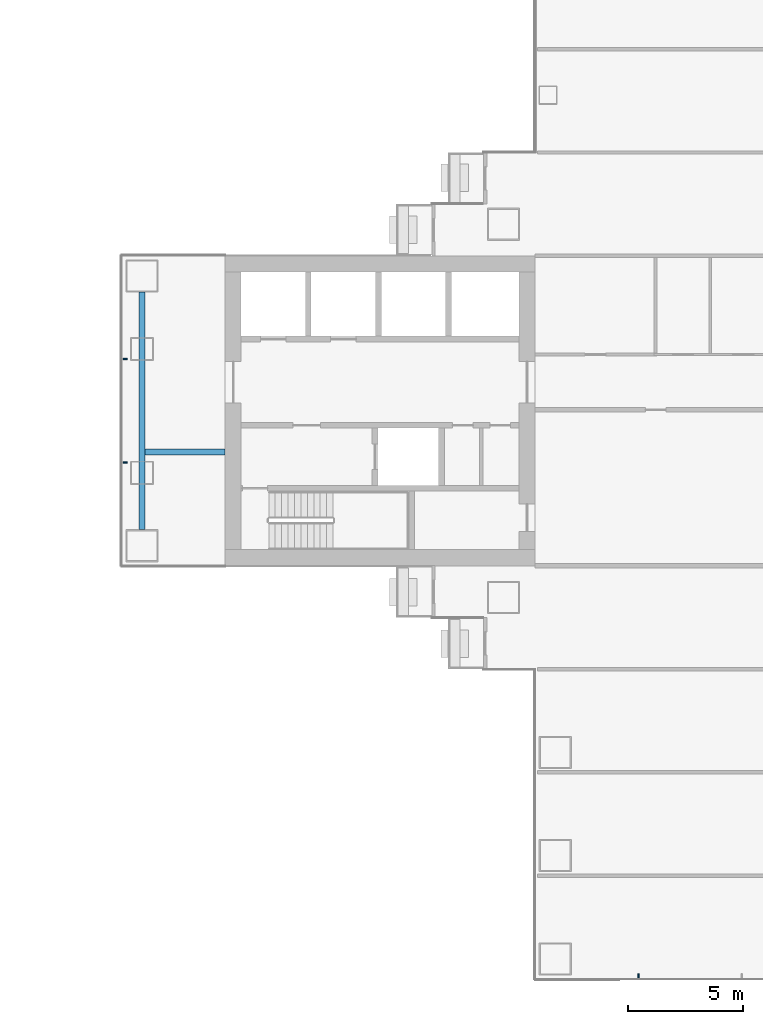
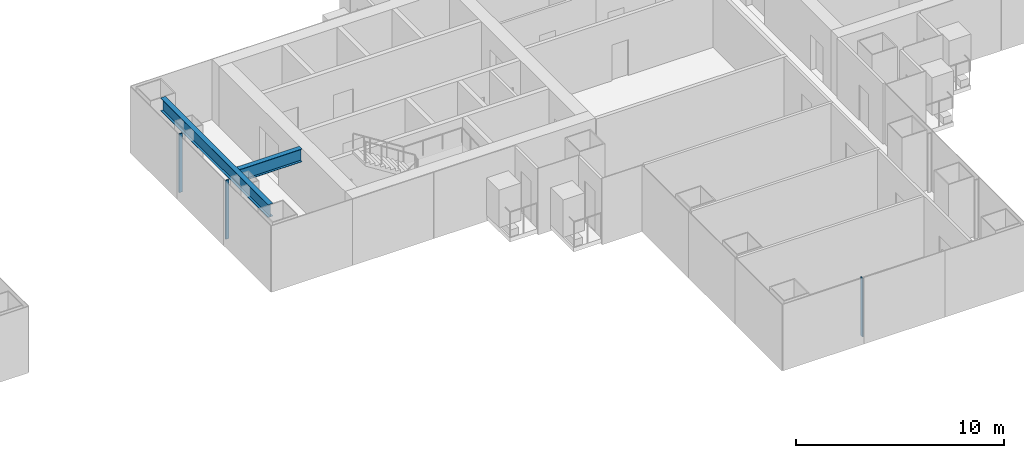
# One storey, part 7 of 21: 3 members, 2 beams, 2 elements without a shape of their own.
"""IFC4 building model written with IfcOpenShell, lengths in metres."""

from ifc_helpers import new_model, si_unit, direction, frame, origin, origin_2d, place, context, subcontext, project, spatial, rectangle, i_section, extrude, material, layer, layer_set, material_profile, profile_set, type_object, element, aggregate, save


model = new_model("IFC4")

# Units and contexts
model_context = context("Model", 3, precision=1e-05, world=origin(), true_north=direction((0.0, 1.0)))
body_context = subcontext(model_context, "Body", "Model", "MODEL_VIEW")
ifc_project = project(units=[si_unit("LENGTHUNIT", "METRE"), si_unit("AREAUNIT", "SQUARE_METRE"), si_unit("VOLUMEUNIT", "CUBIC_METRE"), si_unit("PLANEANGLEUNIT", "RADIAN"), si_unit("MASSUNIT", "GRAM", prefix="KILO")], contexts=[model_context])

# Site, building, storey
site_placement = place(None, origin())
site = spatial("IfcSite", under=ifc_project, at=site_placement, CompositionType="ELEMENT")
building_placement = place(site_placement, origin())
building = spatial("IfcBuilding", under=site, at=building_placement, Name="Shamsa Quay Exchange Towers", CompositionType="ELEMENT")
storey_placement = place(building_placement, frame((0.0, 0.0, 49.800048828125)))
storey = spatial("IfcBuildingStorey", under=building, at=storey_placement, Name="L10", CompositionType="ELEMENT", Elevation=49.800048828125)

# Curtain wall, members
ifc_material_1 = material(Name="Aluminium EN AW-6063 T6, black anodised", Category="aluminium")
ifc_layer = layer(ifc_material_1, 0.280029296875)
ifc_layer_set = layer_set([ifc_layer], Name="CW-1 UNITISED VISION GLASS")
curtain_wall_type = type_object("IfcCurtainWallType", Name="CW-1 UNITISED VISION GLASS", PredefinedType="NOTDEFINED", material=ifc_layer_set)
curtain_wall_1_placement = place(storey_placement, origin())
curtain_wall_1 = element("IfcCurtainWall", 1, at=curtain_wall_1_placement, inside=storey, type_object=curtain_wall_type, Name="CW1 T2-END-V+ L10", PredefinedType="NOTDEFINED")
ifc_material_profile_1 = material_profile(ifc_material_1, rectangle(XDim=0.179931640625, YDim=0.06005859375, at=origin_2d()), Name="MU60x180")
ifc_profile_set_1 = profile_set([ifc_material_profile_1], Name="Aluminium EN AW-6063 T6, black anodised")
member_type = type_object("IfcMemberType", Name="CW1 MULLION 60x180", PredefinedType="MULLION", material=ifc_profile_set_1)
member_1_placement = place(storey_placement, frame((9.14990234375, 2.25, 0.0)))
member_1 = element("IfcMember", 2, at=member_1_placement, type_object=member_type, Name="CW1 mullion", PredefinedType="MULLION", context=body_context, shape_type="SweptSolid", body=[
    extrude(rectangle(XDim=0.179931640625, YDim=0.06005859375, at=origin_2d()), origin(), (0.0, 0.0, 1.0), 3.449951171875),
])
member_2_placement = place(storey_placement, frame((9.14990234375, -2.25, 0.0)))
member_2 = element("IfcMember", 3, at=member_2_placement, type_object=member_type, Name="CW1 mullion", PredefinedType="MULLION", context=body_context, shape_type="SweptSolid", body=[
    extrude(rectangle(XDim=0.179931640625, YDim=0.06005859375, at=origin_2d()), origin(), (0.0, 0.0, 1.0), 3.449951171875),
])
aggregate(curtain_wall_1, [member_1, member_2])

# Curtain wall, member
curtain_wall_2_placement = place(storey_placement, origin())
curtain_wall_2 = element("IfcCurtainWall", 4, at=curtain_wall_2_placement, inside=storey, type_object=curtain_wall_type, Name="CW1 T2-END-U- L10", PredefinedType="NOTDEFINED")
member_3_placement = place(storey_placement, frame((31.5, -24.60009765625, 0.0), z_axis=(0.0, 0.0, 1.0), x_axis=(0.0, 1.0, 0.0)))
member_3 = element("IfcMember", 5, at=member_3_placement, type_object=member_type, Name="CW1 mullion", PredefinedType="MULLION", context=body_context, shape_type="SweptSolid", body=[
    extrude(rectangle(XDim=0.179931640625, YDim=0.06005859375, at=origin_2d()), origin(), (0.0, 0.0, 1.0), 3.449951171875),
])
aggregate(curtain_wall_2, [member_3])

# Beams
ifc_material_2 = material(Name="Steel S355", Category="steel")
ifc_material_profile_2 = material_profile(ifc_material_2, i_section(OverallWidth=0.26611328125, OverallDepth=0.7578125, WebThickness=0.013916015625, FlangeThickness=0.019287109375, at=origin_2d()), Name="W30x108")
ifc_profile_set_2 = profile_set([ifc_material_profile_2], Name="Steel S355")
beam_type = type_object("IfcBeamType", Name="End-zone beam W30x108", PredefinedType="BEAM", material=ifc_profile_set_2)
beam_1_placement = place(storey_placement, frame((9.875, -5.175048828125, 3.171142578125), z_axis=(0.0, 1.0, 0.0), x_axis=(-1.0, 0.0, 0.0)))
element("IfcBeam", 6, at=beam_1_placement, inside=storey, type_object=beam_type, Name="End beam T2 V+ end zone L10", PredefinedType="BEAM", context=body_context, shape_type="SweptSolid", body=[
    extrude(i_section(OverallWidth=0.26611328125, OverallDepth=0.7578125, WebThickness=0.013916015625, FlangeThickness=0.019287109375, at=origin_2d()), origin(), (0.0, 0.0, 1.0), 10.35009765625),
])
beam_2_placement = place(storey_placement, frame((13.5, -1.800048828125, 3.171142578125), z_axis=(-1.0, 0.0, 0.0), x_axis=(0.0, -1.0, 0.0)))
element("IfcBeam", 7, at=beam_2_placement, inside=storey, type_object=beam_type, Name="Spine beam T2 V+ end zone L10", PredefinedType="BEAM", context=body_context, shape_type="SweptSolid", body=[
    extrude(i_section(OverallWidth=0.26611328125, OverallDepth=0.7578125, WebThickness=0.013916015625, FlangeThickness=0.019287109375, at=origin_2d()), origin(), (0.0, 0.0, 1.0), 3.491943359375),
])

save(model, "model.ifc")
